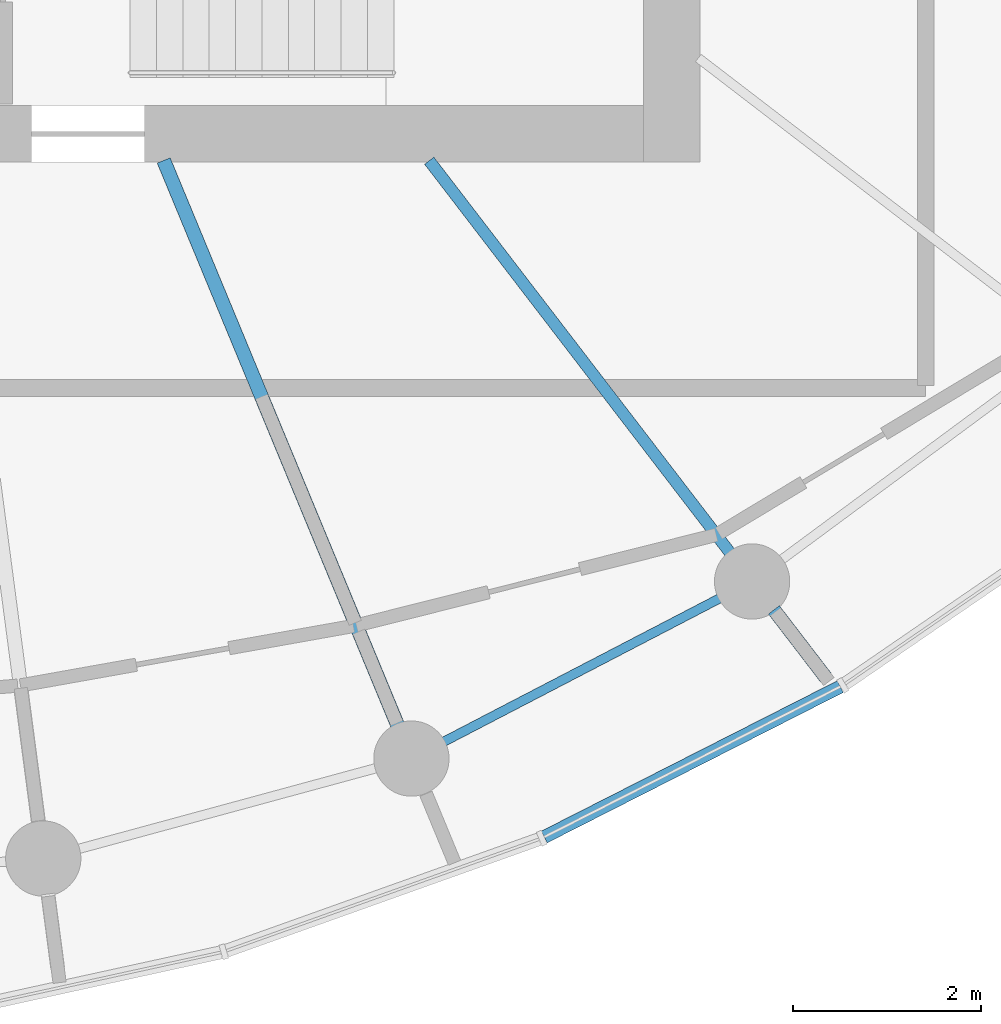
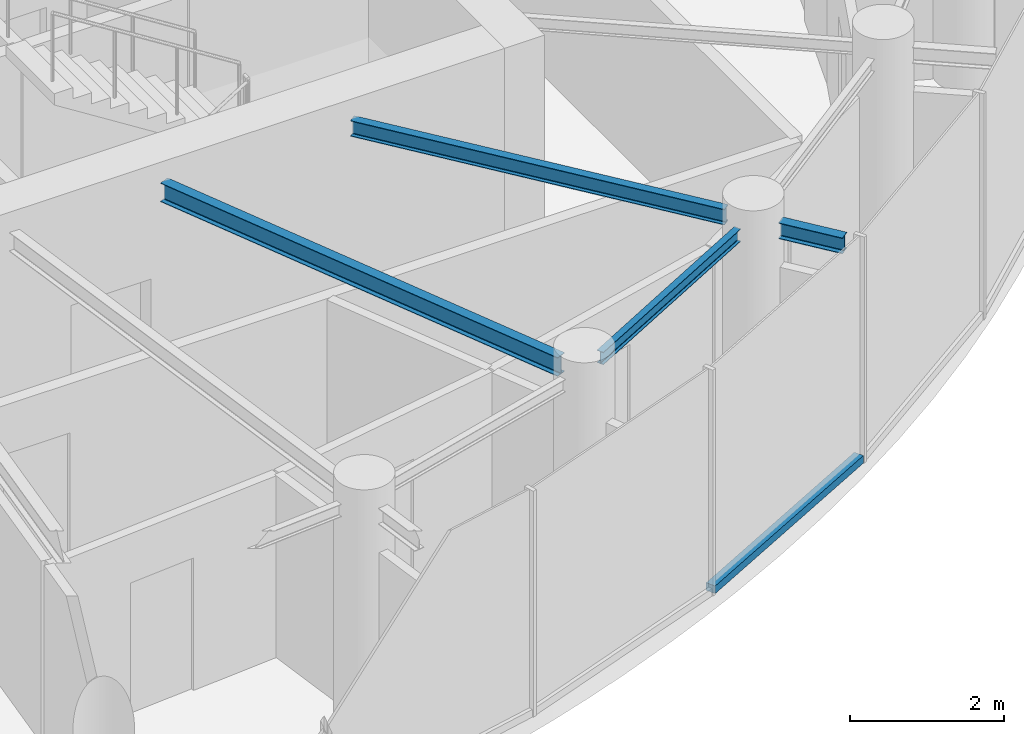
# One storey, part 3 of 13: 4 beams, 1 member, 1 element without a shape of its own.
"""IFC4 building model written with IfcOpenShell, lengths in metres."""

from ifc_helpers import new_model, si_unit, direction, frame, origin, origin_2d, place, context, subcontext, project, spatial, rectangle, i_section, extrude, source, transform, mapped, material, layer, layer_set, material_profile, profile_set, type_object, element, aggregate, save


model = new_model("IFC4")

# Units and contexts
model_context = context("Model", 3, precision=1e-05, world=origin(), true_north=direction((0.0, 1.0)))
body_context = subcontext(model_context, "Body", "Model", "MODEL_VIEW")
ifc_project = project(units=[si_unit("LENGTHUNIT", "METRE"), si_unit("AREAUNIT", "SQUARE_METRE"), si_unit("VOLUMEUNIT", "CUBIC_METRE"), si_unit("PLANEANGLEUNIT", "RADIAN"), si_unit("MASSUNIT", "GRAM", prefix="KILO")], contexts=[model_context])

# Site, building, storey
site_placement = place(None, origin())
site = spatial("IfcSite", under=ifc_project, at=site_placement, CompositionType="ELEMENT")
building_placement = place(site_placement, origin())
building = spatial("IfcBuilding", under=site, at=building_placement, Name="Spindrift Exchange Tower", CompositionType="ELEMENT")
storey_placement = place(building_placement, frame((0.0, 0.0, 246.199951171875)))
storey = spatial("IfcBuildingStorey", under=building, at=storey_placement, Name="L60", CompositionType="ELEMENT", Elevation=246.199951171875)

# Beams
ifc_material_1 = material(Name="Steel Grade 300", Category="steel")
ifc_material_profile_1 = material_profile(ifc_material_1, i_section(OverallWidth=0.14892578125, OverallDepth=0.298095703125, WebThickness=0.005615234375, FlangeThickness=0.008056640625, FilletRadius=0.012939453125, at=origin_2d()), Name="310UB32.0")
ifc_profile_set_1 = profile_set([ifc_material_profile_1], Name="Steel Grade 300")
beam_type_1 = type_object("IfcBeamType", Name="Floor Beam 310UB32.0 Steel Grade 300", PredefinedType="BEAM", material=ifc_profile_set_1)
shared_shape_1 = source(origin(), body_context, "Body", "SweptSolid", [
    extrude(i_section(OverallWidth=0.14892578125, OverallDepth=0.298095703125, WebThickness=0.005615234375, FlangeThickness=0.008056640625, FilletRadius=0.012939453125, at=origin_2d()), origin(), (0.0, 0.0, 1.0), 6.495849609375),
])
beam_1_placement = place(storey_placement, frame((55.30615234375, 40.0185546875, 3.43115234375), z_axis=(0.382677087308, -0.923882160695, 0.0), x_axis=(0.923882160695, 0.382677087308, 0.0)))
element("IfcBeam", 1, at=beam_1_placement, inside=storey, type_object=beam_type_1, Name="L60 radial beam R20A", PredefinedType="BEAM", context=body_context, shape_type="MappedRepresentation", body=[
    mapped(shared_shape_1, transform((0.0, 0.0, 0.0), scale=1.0)),
])
ifc_material_profile_2 = material_profile(ifc_material_1, i_section(OverallWidth=0.1240234375, OverallDepth=0.248046875, WebThickness=0.0048828125, FlangeThickness=0.008056640625, FilletRadius=0.011962890625, at=origin_2d()), Name="250UB25.7")
ifc_profile_set_2 = profile_set([ifc_material_profile_2], Name="Steel Grade 300")
beam_type_2 = type_object("IfcBeamType", Name="Floor Beam 250UB25.7 Steel Grade 300", PredefinedType="BEAM", material=ifc_profile_set_2)
shared_shape_2 = source(origin(), body_context, "Body", "SweptSolid", [
    extrude(i_section(OverallWidth=0.1240234375, OverallDepth=0.248046875, WebThickness=0.0048828125, FlangeThickness=0.008056640625, FilletRadius=0.011962890625, at=origin_2d()), origin(), (0.0, 0.0, 1.0), 5.25341796875),
])
beam_2_placement = place(storey_placement, frame((58.12646484375, 40.015869140625, 3.4560546875), z_axis=(0.608760287872, -0.793354215915, 0.0), x_axis=(0.793354215915, 0.608760287872, 0.0)))
element("IfcBeam", 2, at=beam_2_placement, inside=storey, type_object=beam_type_2, Name="L60 radial beam R21A", PredefinedType="BEAM", context=body_context, shape_type="MappedRepresentation", body=[
    mapped(shared_shape_2, transform((0.0, 0.0, 0.0), scale=1.0)),
])
ifc_material_profile_3 = material_profile(ifc_material_1, i_section(OverallWidth=0.09912109375, OverallDepth=0.197998046875, WebThickness=0.00439453125, FlangeThickness=0.007080078125, FilletRadius=0.010986328125, at=origin_2d()), Name="200UB18.2")
ifc_profile_set_3 = profile_set([ifc_material_profile_3], Name="Steel Grade 300")
beam_type_3 = type_object("IfcBeamType", Name="Edge Beam 200UB18.2 Steel Grade 300", PredefinedType="SPANDREL", material=ifc_profile_set_3)
shared_shape_3 = source(origin(), body_context, "Body", "SweptSolid", [
    extrude(i_section(OverallWidth=0.09912109375, OverallDepth=0.197998046875, WebThickness=0.00439453125, FlangeThickness=0.007080078125, FilletRadius=0.010986328125, at=origin_2d()), origin(), (0.0, 0.0, 1.0), 3.31787109375),
])
beam_3_placement = place(storey_placement, frame((58.2744140625, 33.84130859375, 3.48095703125), z_axis=(0.887327612278, 0.46113957593, 0.0), x_axis=(-0.46113957593, 0.887327612278, 0.0)))
element("IfcBeam", 3, at=beam_3_placement, inside=storey, type_object=beam_type_3, Name="L60 edge beam E20", PredefinedType="SPANDREL", context=body_context, shape_type="MappedRepresentation", body=[
    mapped(shared_shape_3, transform((0.0, 0.0, 0.0), scale=1.0)),
])
ifc_material_profile_4 = material_profile(ifc_material_1, i_section(OverallWidth=0.14599609375, OverallDepth=0.251953125, WebThickness=0.006103515625, FlangeThickness=0.008544921875, FilletRadius=0.011962890625, at=origin_2d()), Name="250UB31.4")
ifc_profile_set_4 = profile_set([ifc_material_profile_4], Name="Steel Grade 300")
beam_type_4 = type_object("IfcBeamType", Name="Cantilever Beam 250UB31.4 Steel Grade 300", PredefinedType="BEAM", material=ifc_profile_set_4)
shared_shape_4 = source(origin(), body_context, "Body", "SweptSolid", [
    extrude(i_section(OverallWidth=0.14599609375, OverallDepth=0.251953125, WebThickness=0.006103515625, FlangeThickness=0.008544921875, FilletRadius=0.011962890625, at=origin_2d()), origin(), (0.0, 0.0, 1.0), 0.902587890625),
])
beam_4_placement = place(storey_placement, frame((61.787109375, 35.245361328125, 3.4541015625), z_axis=(0.608664363178, -0.793427812089, 0.0), x_axis=(0.793427812089, 0.608664363178, 0.0)))
element("IfcBeam", 4, at=beam_4_placement, inside=storey, type_object=beam_type_4, Name="L60 cantilever beam R21T", PredefinedType="BEAM", context=body_context, shape_type="MappedRepresentation", body=[
    mapped(shared_shape_4, transform((0.0, 0.0, 0.0), scale=1.0)),
])

# Curtain wall, member
ifc_material_2 = material(Name="Fritted laminated glass with bronze frame", Category="glass")
ifc_layer = layer(ifc_material_2, 0.159912109375)
ifc_layer_set = layer_set([ifc_layer], Name="ZONE 5 BRONZE FRITTED WALL")
curtain_wall_type = type_object("IfcCurtainWallType", Name="ZONE 5 BRONZE FRITTED WALL", PredefinedType="NOTDEFINED", material=ifc_layer_set)
curtain_wall_placement = place(storey_placement, origin())
curtain_wall = element("IfcCurtainWall", 5, at=curtain_wall_placement, inside=storey, type_object=curtain_wall_type, Name="L60 Zone 5 Bronze Fritted Wall run 5", PredefinedType="NOTDEFINED")
ifc_material_3 = material(Name="Bronze anodised aluminium", Category="aluminium")
ifc_material_profile_5 = material_profile(ifc_material_3, rectangle(XDim=0.139892578125, YDim=0.1201171875, at=origin_2d()), Name="ZONE 5 BRONZE FRITTED WALL TRANSOM 140X120")
ifc_profile_set_5 = profile_set([ifc_material_profile_5], Name="Bronze anodised aluminium")
member_type = type_object("IfcMemberType", Name="ZONE 5 BRONZE FRITTED WALL TRANSOM 140X120", PredefinedType="USERDEFINED", material=ifc_profile_set_5)
shared_shape_5 = source(origin(), body_context, "Body", "SweptSolid", [
    extrude(rectangle(XDim=0.139892578125, YDim=0.1201171875, at=origin_2d()), origin(), (0.0, 0.0, 1.0), 3.526123046875),
])
member_placement = place(storey_placement, frame((59.3486328125, 32.8330078125, 0.06005859375), z_axis=(0.891570436863, 0.45288205541, 0.0), x_axis=(-0.45288205541, 0.891570436863, 0.0)))
member = element("IfcMember", 6, at=member_placement, type_object=member_type, Name="L60 transom CW-5.27", ObjectType="TRANSOM", PredefinedType="USERDEFINED", context=body_context, shape_type="MappedRepresentation", body=[
    mapped(shared_shape_5, transform((0.0, 0.0, 0.0), scale=1.0)),
])
aggregate(curtain_wall, [member])

save(model, "model.ifc")
